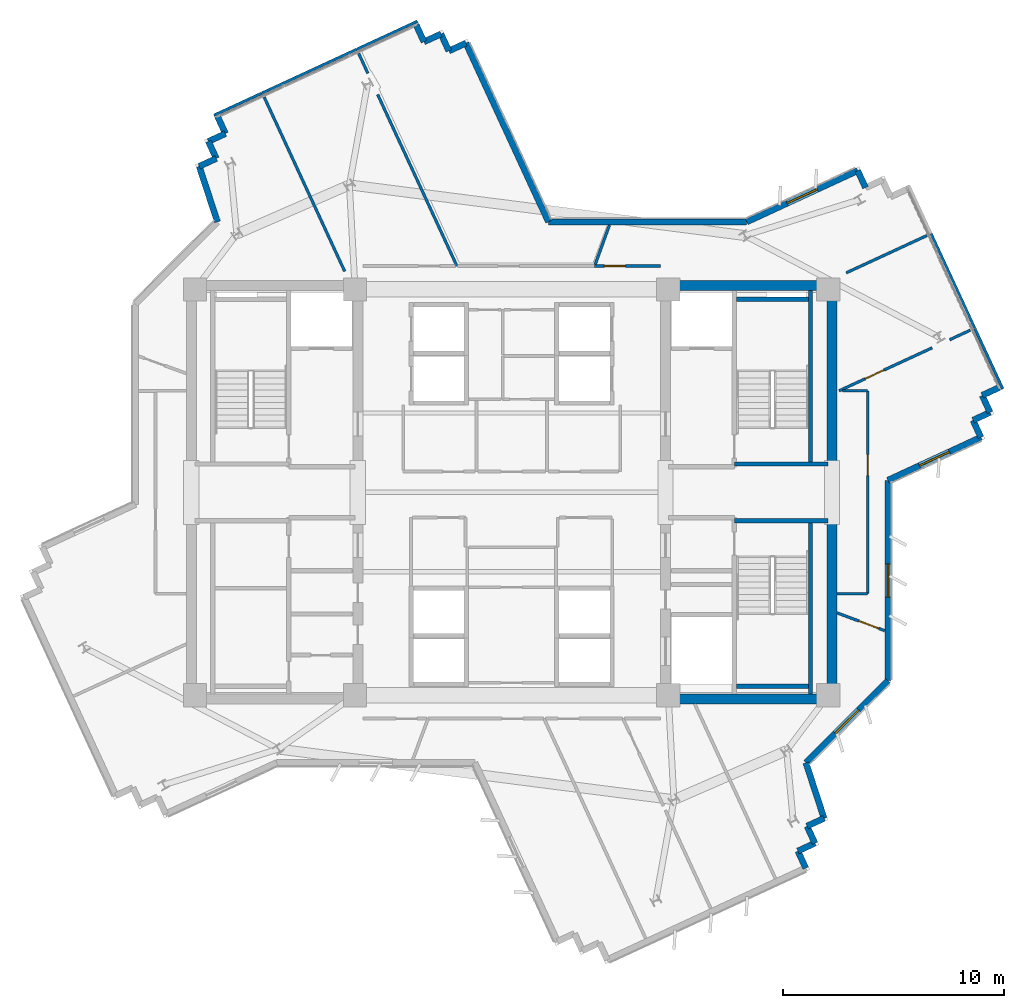
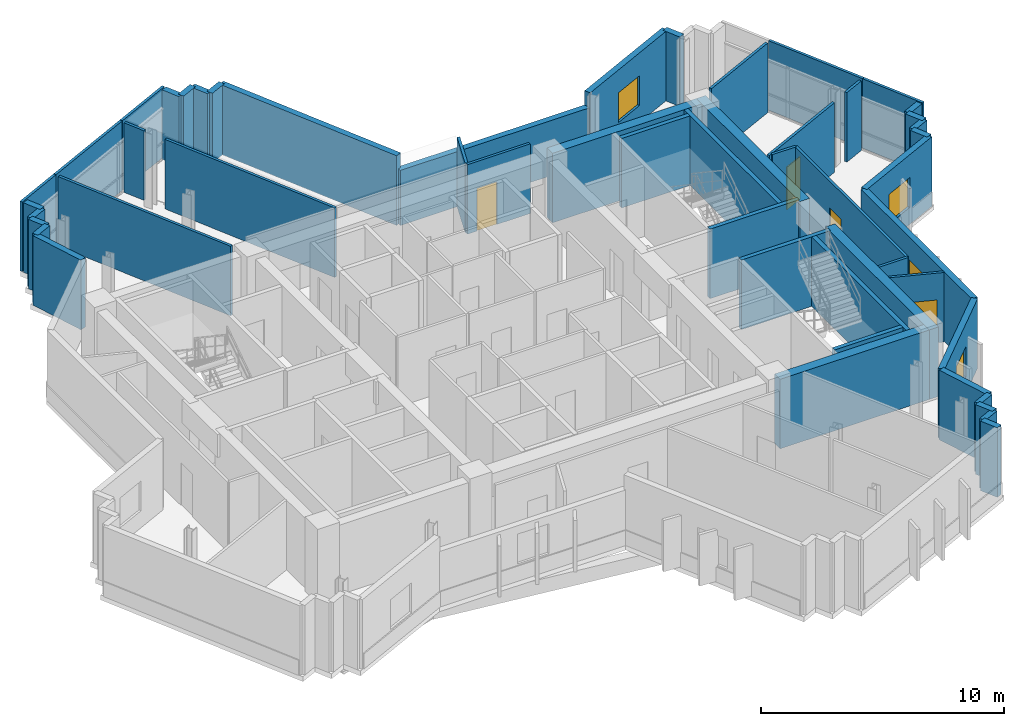
# One storey, part 8 of 12: 52 walls, 4 doors, 4 windows, 8 openings.
"""IFC4 building model written with IfcOpenShell, lengths in metres."""

from ifc_helpers import new_model, si_unit, direction, frame, frame_2d, origin, place, context, subcontext, project, spatial, rectangle, extrude, source, transform, mapped, material, layer, layer_set, type_object, element, fill, save


model = new_model("IFC4")

# Units and contexts
model_context = context("Model", 3, precision=1e-05, world=origin(), true_north=direction((0.0, 1.0)))
body_context = subcontext(model_context, "Body", "Model", "MODEL_VIEW")
ifc_project = project(units=[si_unit("LENGTHUNIT", "METRE"), si_unit("AREAUNIT", "SQUARE_METRE"), si_unit("VOLUMEUNIT", "CUBIC_METRE"), si_unit("PLANEANGLEUNIT", "RADIAN"), si_unit("MASSUNIT", "GRAM", prefix="KILO")], contexts=[model_context])

# Site, building, storey
site_placement = place(None, origin())
site = spatial("IfcSite", under=ifc_project, at=site_placement, CompositionType="ELEMENT")
building_placement = place(site_placement, origin())
building = spatial("IfcBuilding", under=site, at=building_placement, Name="Zahravan Cultural Tower", CompositionType="ELEMENT")
storey_placement = place(building_placement, frame((0.0, 0.0, 239.10009765625)))
storey = spatial("IfcBuildingStorey", under=building, at=storey_placement, Name="L56", CompositionType="ELEMENT", Elevation=239.10009765625)

# Wall, opening, window
ifc_material_1 = material(Name="Precast concrete C40/50", Category="concrete")
ifc_layer_1 = layer(ifc_material_1, 0.280029296875)
ifc_layer_set_1 = layer_set([ifc_layer_1], Name="Precast concrete C40/50")
wall_type_1 = type_object("IfcWallType", Name="EW-TC-280", PredefinedType="SOLIDWALL", material=ifc_layer_set_1)
wall_1_placement = place(storey_placement, frame((46.6552734375, 39.260009765625, 0.0), z_axis=(0.0, 0.0, 1.0), x_axis=(0.907767275269, 0.419474163627, 0.0)))
wall_1 = element("IfcWall", 1, at=wall_1_placement, inside=storey, type_object=wall_type_1, Name="L56 Exterior Masonry Frame Wall 01", PredefinedType="SOLIDWALL", context=body_context, shape_type="SweptSolid", body=[
    extrude(rectangle(XDim=5.544921875, YDim=0.280029296875, at=frame_2d((2.7724609375, 0.0))), origin(), (0.0, 0.0, 1.0), 3.5),
])
opening_1_placement = place(wall_1_placement, frame((2.02197265625, 0.0, 0.85009765625)))
opening_1 = element("IfcOpeningElement", 2, at=opening_1_placement, cuts=wall_1, Name="Opening WN-03", PredefinedType="OPENING", context=body_context, shape_type="SweptSolid", body=[
    extrude(rectangle(XDim=1.5, YDim=1.5, at=frame_2d((0.75, 0.75))), frame((0.0, 0.14990234375, 0.0), z_axis=(0.0, -1.0, 0.0), x_axis=(1.0, 0.0, 0.0)), (0.0, 0.0, 1.0), 0.300048828125),
])
ifc_material_2 = material(Name="Low-E solar-control double glazing", Category="glass")
window_type = type_object("IfcWindowType", Name="WN-REC-1500X1500", PartitioningType="SINGLE_PANEL", PredefinedType="WINDOW", material=ifc_material_2)
shared_shape_1 = source(origin(), body_context, "Body", "SweptSolid", [
    extrude(rectangle(XDim=1.5, YDim=1.5, at=frame_2d((0.75, 0.75))), frame((0.0, 0.030029296875, 0.0), z_axis=(0.0, -1.0, 0.0), x_axis=(1.0, 0.0, 0.0)), (0.0, 0.0, 1.0), 0.06005859375),
])
window_1_placement = place(opening_1_placement, origin())
window_1 = element("IfcWindow", 3, at=window_1_placement, inside=storey, type_object=window_type, Name="L56 Recessed Solar Window 01", OverallHeight=1.5, OverallWidth=1.5, PartitioningType="SINGLE_PANEL", PredefinedType="WINDOW", context=body_context, shape_type="MappedRepresentation", body=[
    mapped(shared_shape_1, transform((0.0, 0.0, 0.0), x_axis=(1.0, 0.0, 0.0), y_axis=(0.0, 1.0, 0.0), z_axis=(0.0, 0.0, 1.0), scale=1.0)),
])
fill(opening_1, window_1)

wall_2_placement = place(storey_placement, frame((57.27587890625, 29.494384765625, 0.0), z_axis=(0.0, 0.0, 1.0), x_axis=(-0.907756183213, -0.419498166669, 0.0)))
wall_2 = element("IfcWall", 4, at=wall_2_placement, inside=storey, type_object=wall_type_1, Name="L56 Exterior Masonry Frame Wall 10", PredefinedType="SOLIDWALL", context=body_context, shape_type="SweptSolid", body=[
    extrude(rectangle(XDim=4.644287109375, YDim=0.280029296875, at=frame_2d((2.322265625, 0.0))), origin(), (0.0, 0.0, 1.0), 3.5),
])
opening_2_placement = place(wall_2_placement, frame((1.572021484375, 0.0, 0.85009765625)))
opening_2 = element("IfcOpeningElement", 5, at=opening_2_placement, cuts=wall_2, Name="Opening WN-03", PredefinedType="OPENING", context=body_context, shape_type="SweptSolid", body=[
    extrude(rectangle(XDim=1.5, YDim=1.5, at=frame_2d((0.75, 0.75))), frame((0.0, 0.14990234375, 0.0), z_axis=(0.0, -1.0, 0.0), x_axis=(1.0, 0.0, 0.0)), (0.0, 0.0, 1.0), 0.300048828125),
])
window_2_placement = place(opening_2_placement, origin())
window_2 = element("IfcWindow", 6, at=window_2_placement, inside=storey, type_object=window_type, Name="L56 Recessed Solar Window 02", OverallHeight=1.5, OverallWidth=1.5, PartitioningType="SINGLE_PANEL", PredefinedType="WINDOW", context=body_context, shape_type="MappedRepresentation", body=[
    mapped(shared_shape_1, transform((0.0, 0.0, 0.0), x_axis=(1.0, 0.0, 0.0), y_axis=(0.0, 1.0, 0.0), z_axis=(0.0, 0.0, 1.0), scale=1.0)),
])
fill(opening_2, window_2)

wall_3_placement = place(storey_placement, frame((53.06005859375, 27.546142578125, 0.0), z_axis=(0.0, 0.0, 1.0), x_axis=(0.0, -1.0, 0.0)))
wall_3 = element("IfcWall", 7, at=wall_3_placement, inside=storey, type_object=wall_type_1, Name="L56 Exterior Masonry Frame Wall 11", PredefinedType="SOLIDWALL", context=body_context, shape_type="SweptSolid", body=[
    extrude(rectangle(XDim=9.088134765625, YDim=0.280029296875, at=frame_2d((4.5439453125, 0.0))), origin(), (0.0, 0.0, 1.0), 3.5),
])
opening_3_placement = place(wall_3_placement, frame((3.7939453125, 0.0, 0.85009765625)))
opening_3 = element("IfcOpeningElement", 8, at=opening_3_placement, cuts=wall_3, Name="Opening WN-03", PredefinedType="OPENING", context=body_context, shape_type="SweptSolid", body=[
    extrude(rectangle(XDim=1.5, YDim=1.5, at=frame_2d((0.75, 0.75))), frame((0.0, 0.14990234375, 0.0), z_axis=(0.0, -1.0, 0.0), x_axis=(1.0, 0.0, 0.0)), (0.0, 0.0, 1.0), 0.300048828125),
])
window_3_placement = place(opening_3_placement, origin())
window_3 = element("IfcWindow", 9, at=window_3_placement, inside=storey, type_object=window_type, Name="L56 Recessed Solar Window 03", OverallHeight=1.5, OverallWidth=1.5, PartitioningType="SINGLE_PANEL", PredefinedType="WINDOW", context=body_context, shape_type="MappedRepresentation", body=[
    mapped(shared_shape_1, transform((0.0, 0.0, 0.0), x_axis=(1.0, 0.0, 0.0), y_axis=(0.0, 1.0, 0.0), z_axis=(0.0, 0.0, 1.0), scale=1.0)),
])
fill(opening_3, window_3)

wall_4_placement = place(storey_placement, frame((53.06005859375, 18.4580078125, 0.0), z_axis=(0.0, 0.0, 1.0), x_axis=(-0.707106781187, -0.707106781187, 0.0)))
wall_4 = element("IfcWall", 10, at=wall_4_placement, inside=storey, type_object=wall_type_1, Name="L56 Exterior Masonry Frame Wall 12", PredefinedType="SOLIDWALL", context=body_context, shape_type="SweptSolid", body=[
    extrude(rectangle(XDim=5.258056640625, YDim=0.280029296875, at=frame_2d((2.62890625, 0.0))), origin(), (0.0, 0.0, 1.0), 3.5),
])
opening_4_placement = place(wall_4_placement, frame((1.87890625, 0.0, 0.85009765625)))
opening_4 = element("IfcOpeningElement", 11, at=opening_4_placement, cuts=wall_4, Name="Opening WN-03", PredefinedType="OPENING", context=body_context, shape_type="SweptSolid", body=[
    extrude(rectangle(XDim=1.5, YDim=1.5, at=frame_2d((0.75, 0.75))), frame((0.0, 0.14990234375, 0.0), z_axis=(0.0, -1.0, 0.0), x_axis=(1.0, 0.0, 0.0)), (0.0, 0.0, 1.0), 0.300048828125),
])
window_4_placement = place(opening_4_placement, origin())
window_4 = element("IfcWindow", 12, at=window_4_placement, inside=storey, type_object=window_type, Name="L56 Recessed Solar Window 04", OverallHeight=1.5, OverallWidth=1.5, PartitioningType="SINGLE_PANEL", PredefinedType="WINDOW", context=body_context, shape_type="MappedRepresentation", body=[
    mapped(shared_shape_1, transform((0.0, 0.0, 0.0), x_axis=(1.0, 0.0, 0.0), y_axis=(0.0, 1.0, 0.0), z_axis=(0.0, 0.0, 1.0), scale=1.0)),
])
fill(opening_4, window_4)

# Wall, opening, door
ifc_material_3 = material(Name="Gypsum plasterboard partition")
ifc_layer_2 = layer(ifc_material_3, 0.125)
ifc_layer_set_2 = layer_set([ifc_layer_2], Name="Gypsum plasterboard partition")
wall_type_2 = type_object("IfcWallType", Name="W-PART-125", PredefinedType="PARTITIONING", material=ifc_layer_set_2)
wall_5_placement = place(storey_placement, frame((55.06787109375, 33.55224609375, 0.0), z_axis=(0.0, 0.0, 1.0), x_axis=(-0.90779658515, -0.419410729465, 0.0)))
wall_5 = element("IfcWall", 13, at=wall_5_placement, inside=storey, type_object=wall_type_2, Name="L56 Interior Wall 086", PredefinedType="PARTITIONING", context=body_context, shape_type="SweptSolid", body=[
    extrude(rectangle(XDim=4.654541015625, YDim=0.125, at=frame_2d((2.3271484375, 0.0))), origin(), (0.0, 0.0, 1.0), 3.5),
])
opening_5_placement = place(wall_5_placement, frame((2.407958984375, 0.0, 0.0)))
opening_5 = element("IfcOpeningElement", 14, at=opening_5_placement, cuts=wall_5, Name="Opening D-L56-32", PredefinedType="OPENING", context=body_context, shape_type="SweptSolid", body=[
    extrude(rectangle(XDim=0.949951171875, YDim=2.14990234375, at=frame_2d((0.47509765625, 1.074951171875))), frame((0.0, 0.072509765625, 0.0), z_axis=(0.0, -1.0, 0.0), x_axis=(1.0, 0.0, 0.0)), (0.0, 0.0, 1.0), 0.14501953125),
])
ifc_material_4 = material(Name="Anodised bronze-aluminium mullion", Category="aluminium")
door_type = type_object("IfcDoorType", Name="DR-ROOM-950", OperationType="NOTDEFINED", PredefinedType="DOOR", material=ifc_material_4)
shared_shape_2 = source(origin(), body_context, "Body", "SweptSolid", [
    extrude(rectangle(XDim=0.949951171875, YDim=2.14990234375, at=frame_2d((0.47509765625, 1.074951171875))), frame((0.0, 0.02490234375, 0.0), z_axis=(0.0, -1.0, 0.0), x_axis=(1.0, 0.0, 0.0)), (0.0, 0.0, 1.0), 0.050048828125),
])
door_1_placement = place(opening_5_placement, origin())
door_1 = element("IfcDoor", 15, at=door_1_placement, inside=storey, type_object=door_type, Name="L56 Door D-L56-32", OperationType="SINGLE_SWING_LEFT", OverallHeight=2.14990234375, OverallWidth=0.949951171875, PredefinedType="DOOR", context=body_context, shape_type="MappedRepresentation", body=[
    mapped(shared_shape_2, transform((0.0, 0.0, 0.0), x_axis=(1.0, 0.0, 0.0), y_axis=(0.0, 1.0, 0.0), z_axis=(0.0, 0.0, 1.0), scale=1.0)),
])
fill(opening_5, door_1)

wall_6_placement = place(storey_placement, frame((52.14990234375, 22.406005859375, 0.0), z_axis=(0.0, 0.0, 1.0), x_axis=(-2.657666e-05, 0.999999999647, 0.0)))
wall_6 = element("IfcWall", 16, at=wall_6_placement, inside=storey, type_object=wall_type_2, Name="L56 Interior Wall 094", PredefinedType="PARTITIONING", context=body_context, shape_type="SweptSolid", body=[
    extrude(rectangle(XDim=9.186279296875, YDim=0.125, at=frame_2d((4.59326171875, 0.0))), origin(), (0.0, 0.0, 1.0), 3.5),
])
opening_6_placement = place(wall_6_placement, frame((5.353759765625, 0.0, 0.0)))
opening_6 = element("IfcOpeningElement", 17, at=opening_6_placement, cuts=wall_6, Name="Opening D-L56-22", PredefinedType="OPENING", context=body_context, shape_type="SweptSolid", body=[
    extrude(rectangle(XDim=0.949951171875, YDim=2.14990234375, at=frame_2d((0.47509765625, 1.074951171875))), frame((0.0, 0.072509765625, 0.0), z_axis=(0.0, -1.0, 0.0), x_axis=(1.0, 0.0, 0.0)), (0.0, 0.0, 1.0), 0.14501953125),
])
door_2_placement = place(opening_6_placement, origin())
door_2 = element("IfcDoor", 18, at=door_2_placement, inside=storey, type_object=door_type, Name="L56 Door D-L56-22", OperationType="SINGLE_SWING_LEFT", OverallHeight=2.14990234375, OverallWidth=0.949951171875, PredefinedType="DOOR", context=body_context, shape_type="MappedRepresentation", body=[
    mapped(shared_shape_2, transform((0.0, 0.0, 0.0), x_axis=(1.0, 0.0, 0.0), y_axis=(0.0, 1.0, 0.0), z_axis=(0.0, 0.0, 1.0), scale=1.0)),
])
fill(opening_6, door_2)

wall_7_placement = place(storey_placement, frame((52.9150390625, 20.72705078125, 0.0), z_axis=(0.0, 0.0, 1.0), x_axis=(-0.936884992217, 0.349637685839, 0.0)))
wall_7 = element("IfcWall", 19, at=wall_7_placement, inside=storey, type_object=wall_type_2, Name="L56 Interior Wall 097", PredefinedType="PARTITIONING", context=body_context, shape_type="SweptSolid", body=[
    extrude(rectangle(XDim=2.3056640625, YDim=0.125, at=frame_2d((1.15283203125, 0.0))), origin(), (0.0, 0.0, 1.0), 3.5),
])
opening_7_placement = place(wall_7_placement, frame((0.298095703125, 0.0, 0.0)))
opening_7 = element("IfcOpeningElement", 20, at=opening_7_placement, cuts=wall_7, Name="Opening D-L56-35", PredefinedType="OPENING", context=body_context, shape_type="SweptSolid", body=[
    extrude(rectangle(XDim=0.949951171875, YDim=2.14990234375, at=frame_2d((0.47509765625, 1.074951171875))), frame((0.0, 0.072509765625, 0.0), z_axis=(0.0, -1.0, 0.0), x_axis=(1.0, 0.0, 0.0)), (0.0, 0.0, 1.0), 0.14501953125),
])
door_3_placement = place(opening_7_placement, origin())
door_3 = element("IfcDoor", 21, at=door_3_placement, inside=storey, type_object=door_type, Name="L56 Door D-L56-35", OperationType="SINGLE_SWING_RIGHT", OverallHeight=2.14990234375, OverallWidth=0.949951171875, PredefinedType="DOOR", context=body_context, shape_type="MappedRepresentation", body=[
    mapped(shared_shape_2, transform((0.0, 0.0, 0.0), x_axis=(1.0, 0.0, 0.0), y_axis=(0.0, 1.0, 0.0), z_axis=(0.0, 0.0, 1.0), scale=1.0)),
])
fill(opening_7, door_3)

wall_8_placement = place(storey_placement, frame((42.74658203125, 37.2587890625, 0.0), z_axis=(0.0, 0.0, 1.0), x_axis=(-0.999999916415, 0.000408864141, 0.0)))
wall_8 = element("IfcWall", 22, at=wall_8_placement, inside=storey, type_object=wall_type_2, Name="L56 Interior Wall 098", PredefinedType="PARTITIONING", context=body_context, shape_type="SweptSolid", body=[
    extrude(rectangle(XDim=2.985595703125, YDim=0.125, at=frame_2d((1.49267578125, 0.0))), origin(), (0.0, 0.0, 1.0), 3.5),
])
opening_8_placement = place(wall_8_placement, frame((1.587890625, 0.0, 0.0)))
opening_8 = element("IfcOpeningElement", 23, at=opening_8_placement, cuts=wall_8, Name="Opening D-L56-23", PredefinedType="OPENING", context=body_context, shape_type="SweptSolid", body=[
    extrude(rectangle(XDim=0.949951171875, YDim=2.14990234375, at=frame_2d((0.47509765625, 1.074951171875))), frame((0.0, 0.072509765625, 0.0), z_axis=(0.0, -1.0, 0.0), x_axis=(1.0, 0.0, 0.0)), (0.0, 0.0, 1.0), 0.14501953125),
])
door_4_placement = place(opening_8_placement, origin())
door_4 = element("IfcDoor", 24, at=door_4_placement, inside=storey, type_object=door_type, Name="L56 Door D-L56-23", OperationType="SINGLE_SWING_RIGHT", OverallHeight=2.14990234375, OverallWidth=0.949951171875, PredefinedType="DOOR", context=body_context, shape_type="MappedRepresentation", body=[
    mapped(shared_shape_2, transform((0.0, 0.0, 0.0), x_axis=(1.0, 0.0, 0.0), y_axis=(0.0, 1.0, 0.0), z_axis=(0.0, 0.0, 1.0), scale=1.0)),
])
fill(opening_8, door_4)

# Walls
ifc_material_5 = material(Name="Concrete C50/60", Category="concrete")
ifc_layer_3 = layer(ifc_material_5, 0.449951171875)
ifc_layer_set_3 = layer_set([ifc_layer_3], Name="Concrete C50/60")
wall_type_3 = type_object("IfcWallType", Name="CW-SHEAR-450-C50", PredefinedType="SHEAR", material=ifc_layer_set_3)
shared_shape_3 = source(origin(), body_context, "Body", "SweptSolid", [
    extrude(rectangle(XDim=8.550048828125, YDim=0.449951171875, at=frame_2d((4.27490234375, 0.0))), origin(), (0.0, 0.0, 1.0), 3.5),
])
for number, where, z_axis, x_axis, name in (
    (25, (50.52490234375, 17.39990234375, 0.0), (0.0, 0.0, 1.0), (0.0, 1.0, 0.0), "L56 Core Shear Wall CW-E-ES-L56"),
    (26, (50.52490234375, 28.050048828125, 0.0), (0.0, 0.0, 1.0), (0.0, 1.0, 0.0), "L56 Core Shear Wall CW-E-EN-L56"),
):
    element("IfcWall", number, at=place(storey_placement, frame(where, z_axis=z_axis, x_axis=x_axis)), inside=storey, type_object=wall_type_3, Name=name, PredefinedType="SHEAR", context=body_context, shape_type="MappedRepresentation", body=[
        mapped(shared_shape_3, transform((0.0, 0.0, 0.0), x_axis=(1.0, 0.0, 0.0), y_axis=(0.0, 1.0, 0.0), z_axis=(0.0, 0.0, 1.0), scale=1.0)),
    ])
shared_shape_4 = source(origin(), body_context, "Body", "SweptSolid", [
    extrude(rectangle(XDim=7.10009765625, YDim=0.449951171875, at=frame_2d((3.550048828125, 0.0))), origin(), (0.0, 0.0, 1.0), 3.5),
])
for number, where, z_axis, x_axis, name in (
    (27, (43.199951171875, 17.625, 0.0), (0.0, 0.0, 1.0), (1.0, 0.0, 0.0), "L56 Core Shear Wall CW-E-S-L56"),
    (28, (43.199951171875, 36.375, 0.0), (0.0, 0.0, 1.0), (1.0, 0.0, 0.0), "L56 Core Shear Wall CW-E-N-L56"),
):
    element("IfcWall", number, at=place(storey_placement, frame(where, z_axis=z_axis, x_axis=x_axis)), inside=storey, type_object=wall_type_3, Name=name, PredefinedType="SHEAR", context=body_context, shape_type="MappedRepresentation", body=[
        mapped(shared_shape_4, transform((0.0, 0.0, 0.0), x_axis=(1.0, 0.0, 0.0), y_axis=(0.0, 1.0, 0.0), z_axis=(0.0, 0.0, 1.0), scale=1.0)),
    ])
shared_shape_5 = source(origin(), body_context, "Body", "SweptSolid", [
    extrude(rectangle(XDim=0.85009765625, YDim=0.280029296875, at=frame_2d((0.425048828125, 0.0))), origin(), (0.0, 0.0, 1.0), 3.5),
])
for number, where, z_axis, x_axis, name in (
    (29, (51.688720703125, 41.5859375, 0.0), (0.0, 0.0, 1.0), (0.419549800563, -0.907732320041, 0.0), "L56 Exterior Masonry Frame Wall 02"),
    (30, (58.106201171875, 31.75048828125, 0.0), (0.0, 0.0, 1.0), (-0.907841666427, -0.419313139191, 0.0), "L56 Exterior Masonry Frame Wall 06"),
    (31, (57.33447265625, 31.39404296875, 0.0), (0.0, 0.0, 1.0), (0.419313139191, -0.907841666427, 0.0), "L56 Exterior Masonry Frame Wall 07"),
    (32, (50.16650390625, 12.218994140625, 0.0), (0.0, 0.0, 1.0), (-0.907841666427, -0.419313139191, 0.0), "L56 Exterior Masonry Frame Wall 14"),
    (33, (49.394775390625, 11.862548828125, 0.0), (0.0, 0.0, 1.0), (0.419313139191, -0.907841666427, 0.0), "L56 Exterior Masonry Frame Wall 15"),
    (34, (48.979736328125, 10.734375, 0.0), (0.0, 0.0, 1.0), (0.419313139191, -0.907841666427, 0.0), "L56 Exterior Masonry Frame Wall 17"),
    (35, (21.83349609375, 41.781005859375, 0.0), (0.0, 0.0, 1.0), (0.907841666427, 0.419313139191, 0.0), "L56 Exterior Masonry Frame Wall 39"),
    (36, (22.605224609375, 42.137451171875, 0.0), (0.0, 0.0, 1.0), (-0.419313139191, 0.907841666427, 0.0), "L56 Exterior Masonry Frame Wall 40"),
    (37, (23.020263671875, 43.265625, 0.0), (0.0, 0.0, 1.0), (-0.419313139191, 0.907841666427, 0.0), "L56 Exterior Masonry Frame Wall 42"),
    (38, (32.025390625, 47.4267578125, 0.0), (0.0, 0.0, 1.0), (0.907841666427, 0.419313139191, 0.0), "L56 Exterior Masonry Frame Wall 44"),
    (39, (33.153564453125, 47.01171875, 0.0), (0.0, 0.0, 1.0), (0.907841666427, 0.419313139191, 0.0), "L56 Exterior Masonry Frame Wall 46"),
):
    element("IfcWall", number, at=place(storey_placement, frame(where, z_axis=z_axis, x_axis=x_axis)), inside=storey, type_object=wall_type_1, Name=name, PredefinedType="SOLIDWALL", context=body_context, shape_type="MappedRepresentation", body=[
        mapped(shared_shape_5, transform((0.0, 0.0, 0.0), x_axis=(1.0, 0.0, 0.0), y_axis=(0.0, 1.0, 0.0), z_axis=(0.0, 0.0, 1.0), scale=1.0)),
    ])
shared_shape_6 = source(origin(), body_context, "Body", "SweptSolid", [
    extrude(rectangle(XDim=0.849853515625, YDim=0.280029296875, at=frame_2d((0.4248046875, 0.0))), origin(), (0.0, 0.0, 1.0), 3.5),
])
for number, where, z_axis, x_axis, name in (
    (40, (57.69091796875, 30.622314453125, 0.0), (0.0, 0.0, 1.0), (-0.907791150023, -0.419422493365, 0.0), "L56 Exterior Masonry Frame Wall 08"),
    (41, (56.91943359375, 30.265869140625, 0.0), (0.0, 0.0, 1.0), (0.419422493365, -0.907791150023, 0.0), "L56 Exterior Masonry Frame Wall 09"),
    (42, (49.751220703125, 11.0908203125, 0.0), (0.0, 0.0, 1.0), (-0.907791150023, -0.419422493365, 0.0), "L56 Exterior Masonry Frame Wall 16"),
    (43, (22.248779296875, 42.9091796875, 0.0), (0.0, 0.0, 1.0), (0.907791150023, 0.419422493365, 0.0), "L56 Exterior Masonry Frame Wall 41"),
    (44, (31.6689453125, 48.1982421875, 0.0), (0.0, 0.0, 1.0), (0.419422493365, -0.907791150023, 0.0), "L56 Exterior Masonry Frame Wall 43"),
    (45, (32.797119140625, 47.783203125, 0.0), (0.0, 0.0, 1.0), (0.419422493365, -0.907791150023, 0.0), "L56 Exterior Masonry Frame Wall 45"),
):
    element("IfcWall", number, at=place(storey_placement, frame(where, z_axis=z_axis, x_axis=x_axis)), inside=storey, type_object=wall_type_1, Name=name, PredefinedType="SOLIDWALL", context=body_context, shape_type="MappedRepresentation", body=[
        mapped(shared_shape_6, transform((0.0, 0.0, 0.0), x_axis=(1.0, 0.0, 0.0), y_axis=(0.0, 1.0, 0.0), z_axis=(0.0, 0.0, 1.0), scale=1.0)),
    ])
shared_shape_7 = source(origin(), body_context, "Body", "SweptSolid", [
    extrude(rectangle(XDim=2.65234375, YDim=0.280029296875, at=frame_2d((1.326171875, 0.0))), origin(), (0.0, 0.0, 1.0), 3.5),
])
for number, where, z_axis, x_axis, name in (
    (46, (49.342041015625, 14.739990234375, 0.0), (0.0, 0.0, 1.0), (0.310838004308, -0.950462905682, 0.0), "L56 Exterior Masonry Frame Wall 13"),
    (47, (22.657958984375, 39.260009765625, 0.0), (0.0, 0.0, 1.0), (-0.310838004308, 0.950462905682, 0.0), "L56 Exterior Masonry Frame Wall 38"),
):
    element("IfcWall", number, at=place(storey_placement, frame(where, z_axis=z_axis, x_axis=x_axis)), inside=storey, type_object=wall_type_1, Name=name, PredefinedType="SOLIDWALL", context=body_context, shape_type="MappedRepresentation", body=[
        mapped(shared_shape_7, transform((0.0, 0.0, 0.0), x_axis=(1.0, 0.0, 0.0), y_axis=(0.0, 1.0, 0.0), z_axis=(0.0, 0.0, 1.0), scale=1.0)),
    ])
shared_shape_8 = source(origin(), body_context, "Body", "SweptSolid", [
    extrude(rectangle(XDim=8.931884765625, YDim=0.280029296875, at=frame_2d((4.4658203125, 0.0))), origin(), (0.0, 0.0, 1.0), 3.5),
])
wall_9_placement = place(storey_placement, frame((33.92529296875, 47.3681640625, 0.0), z_axis=(0.0, 0.0, 1.0), x_axis=(0.419437747849, -0.90778410191, 0.0)))
element("IfcWall", 48, at=wall_9_placement, inside=storey, type_object=wall_type_1, Name="L56 Exterior Masonry Frame Wall 47", PredefinedType="SOLIDWALL", context=body_context, shape_type="MappedRepresentation", body=[
    mapped(shared_shape_8, transform((0.0, 0.0, 0.0), x_axis=(1.0, 0.0, 0.0), y_axis=(0.0, 1.0, 0.0), z_axis=(0.0, 0.0, 1.0), scale=1.0)),
])
shared_shape_9 = source(origin(), body_context, "Body", "SweptSolid", [
    extrude(rectangle(XDim=8.983642578125, YDim=0.280029296875, at=frame_2d((4.49169921875, 0.0))), origin(), (0.0, 0.0, 1.0), 2.77197265625),
])
wall_10_placement = place(storey_placement, frame((37.671630859375, 39.260009765625, 0.0), z_axis=(0.0, 0.0, 1.0), x_axis=(1.0, 0.0, 0.0)))
element("IfcWall", 49, at=wall_10_placement, inside=storey, type_object=wall_type_1, Name="L56 Exterior Masonry Frame Wall 48", PredefinedType="SOLIDWALL", context=body_context, shape_type="MappedRepresentation", body=[
    mapped(shared_shape_9, transform((0.0, 0.0, 0.0), x_axis=(1.0, 0.0, 0.0), y_axis=(0.0, 1.0, 0.0), z_axis=(0.0, 0.0, 1.0), scale=1.0)),
])
ifc_material_6 = material(Name="Concrete C45/55", Category="concrete")
ifc_layer_4 = layer(ifc_material_6, 0.199951171875)
ifc_layer_set_4 = layer_set([ifc_layer_4], Name="Concrete C45/55")
wall_type_4 = type_object("IfcWallType", Name="W-SHAFT-200", PredefinedType="SOLIDWALL", material=ifc_layer_set_4)
shared_shape_10 = source(origin(), body_context, "Body", "SweptSolid", [
    extrude(rectangle(XDim=7.869873046875, YDim=0.199951171875, at=frame_2d((3.93505859375, 0.0))), origin(), (0.0, 0.0, 1.0), 3.5),
])
for number, where, z_axis, x_axis, name in (
    (50, (49.550048828125, 17.85009765625, 0.0), (0.0, 0.0, 1.0), (0.0, 1.0, 0.0), "L56 Interior Wall 003"),
    (51, (49.550048828125, 28.280029296875, 0.0), (0.0, 0.0, 1.0), (0.0, 1.0, 0.0), "L56 Interior Wall 004"),
):
    element("IfcWall", number, at=place(storey_placement, frame(where, z_axis=z_axis, x_axis=x_axis)), inside=storey, type_object=wall_type_4, Name=name, PredefinedType="SOLIDWALL", context=body_context, shape_type="MappedRepresentation", body=[
        mapped(shared_shape_10, transform((0.0, 0.0, 0.0), x_axis=(1.0, 0.0, 0.0), y_axis=(0.0, 1.0, 0.0), z_axis=(0.0, 0.0, 1.0), scale=1.0)),
    ])
shared_shape_11 = source(origin(), body_context, "Body", "SweptSolid", [
    extrude(rectangle(XDim=4.25, YDim=0.199951171875, at=frame_2d((2.125, 0.0))), origin(), (0.0, 0.0, 1.0), 3.5),
])
for number, where, z_axis, x_axis, name in (
    (52, (46.10009765625, 25.715087890625, 0.0), (0.0, 0.0, 1.0), (1.0, 0.0, 0.0), "L56 Interior Wall 014"),
    (53, (46.10009765625, 28.284912109375, 0.0), (0.0, 0.0, 1.0), (1.0, 0.0, 0.0), "L56 Interior Wall 016"),
):
    element("IfcWall", number, at=place(storey_placement, frame(where, z_axis=z_axis, x_axis=x_axis)), inside=storey, type_object=wall_type_4, Name=name, PredefinedType="SOLIDWALL", context=body_context, shape_type="MappedRepresentation", body=[
        mapped(shared_shape_11, transform((0.0, 0.0, 0.0), x_axis=(1.0, 0.0, 0.0), y_axis=(0.0, 1.0, 0.0), z_axis=(0.0, 0.0, 1.0), scale=1.0)),
    ])
shared_shape_12 = source(origin(), body_context, "Body", "SweptSolid", [
    extrude(rectangle(XDim=3.25, YDim=0.199951171875, at=frame_2d((1.625, 0.0))), origin(), (0.0, 0.0, 1.0), 3.5),
])
for number, where, z_axis, x_axis, name in (
    (54, (46.199951171875, 35.75, 0.0), (0.0, 0.0, 1.0), (1.0, 0.0, 0.0), "L56 Interior Wall 018"),
    (55, (46.199951171875, 18.199951171875, 0.0), (0.0, 0.0, 1.0), (1.0, 0.0, 0.0), "L56 Interior Wall 020"),
):
    element("IfcWall", number, at=place(storey_placement, frame(where, z_axis=z_axis, x_axis=x_axis)), inside=storey, type_object=wall_type_4, Name=name, PredefinedType="SOLIDWALL", context=body_context, shape_type="MappedRepresentation", body=[
        mapped(shared_shape_12, transform((0.0, 0.0, 0.0), x_axis=(1.0, 0.0, 0.0), y_axis=(0.0, 1.0, 0.0), z_axis=(0.0, 0.0, 1.0), scale=1.0)),
    ])
shared_shape_13 = source(origin(), body_context, "Body", "SweptSolid", [
    extrude(rectangle(XDim=3.010009765625, YDim=0.125, at=frame_2d((1.5048828125, 0.0))), origin(), (0.0, 0.0, 1.0), 3.5),
])
for number, where, z_axis, x_axis, name in (
    (56, (57.002685546875, 34.42431640625, 0.0), (0.0, 0.0, 1.0), (0.419490178077, -0.90775987491, 0.0), "L56 Interior Wall 096"),
    (57, (28.9951171875, 47.094970703125, 0.0), (0.0, 0.0, 1.0), (0.907790759102, 0.419423339467, 0.0), "L56 Interior Wall 115"),
):
    element("IfcWall", number, at=place(storey_placement, frame(where, z_axis=z_axis, x_axis=x_axis)), inside=storey, type_object=wall_type_2, Name=name, PredefinedType="PARTITIONING", context=body_context, shape_type="MappedRepresentation", body=[
        mapped(shared_shape_13, transform((0.0, 0.0, 0.0), x_axis=(1.0, 0.0, 0.0), y_axis=(0.0, 1.0, 0.0), z_axis=(0.0, 0.0, 1.0), scale=1.0)),
    ])
shared_shape_14 = source(origin(), body_context, "Body", "SweptSolid", [
    extrude(rectangle(XDim=4.020263671875, YDim=0.125, at=frame_2d((2.01025390625, 0.0))), origin(), (0.0, 0.0, 1.0), 3.5),
])
wall_11_placement = place(storey_placement, frame((51.169921875, 36.95068359375, 0.0), z_axis=(0.0, 0.0, 1.0), x_axis=(0.907776222313, 0.419454801145, 0.0)))
element("IfcWall", 58, at=wall_11_placement, inside=storey, type_object=wall_type_2, Name="L56 Interior Wall 083", PredefinedType="PARTITIONING", context=body_context, shape_type="MappedRepresentation", body=[
    mapped(shared_shape_14, transform((0.0, 0.0, 0.0), x_axis=(1.0, 0.0, 0.0), y_axis=(0.0, 1.0, 0.0), z_axis=(0.0, 0.0, 1.0), scale=1.0)),
])
shared_shape_15 = source(origin(), body_context, "Body", "SweptSolid", [
    extrude(rectangle(XDim=4.72021484375, YDim=0.125, at=frame_2d((2.360107421875, 0.0))), origin(), (0.0, 0.0, 1.0), 3.5),
])
wall_12_placement = place(storey_placement, frame((55.0146484375, 38.727294921875, 0.0), z_axis=(0.0, 0.0, 1.0), x_axis=(0.419422223592, -0.907791274665, 0.0)))
element("IfcWall", 59, at=wall_12_placement, inside=storey, type_object=wall_type_2, Name="L56 Interior Wall 084", PredefinedType="PARTITIONING", context=body_context, shape_type="MappedRepresentation", body=[
    mapped(shared_shape_15, transform((0.0, 0.0, 0.0), x_axis=(1.0, 0.0, 0.0), y_axis=(0.0, 1.0, 0.0), z_axis=(0.0, 0.0, 1.0), scale=1.0)),
])
shared_shape_16 = source(origin(), body_context, "Body", "SweptSolid", [
    extrude(rectangle(XDim=1.034423828125, YDim=0.125, at=frame_2d((0.51708984375, 0.0))), origin(), (0.0, 0.0, 1.0), 3.5),
])
wall_13_placement = place(storey_placement, frame((56.79931640625, 34.352294921875, 0.0), z_axis=(0.0, 0.0, 1.0), x_axis=(-0.907786599617, -0.419432342049, 0.0)))
element("IfcWall", 60, at=wall_13_placement, inside=storey, type_object=wall_type_2, Name="L56 Interior Wall 085", PredefinedType="PARTITIONING", context=body_context, shape_type="MappedRepresentation", body=[
    mapped(shared_shape_16, transform((0.0, 0.0, 0.0), x_axis=(1.0, 0.0, 0.0), y_axis=(0.0, 1.0, 0.0), z_axis=(0.0, 0.0, 1.0), scale=1.0)),
])
shared_shape_17 = source(origin(), body_context, "Body", "SweptSolid", [
    extrude(rectangle(XDim=1.38916015625, YDim=0.125, at=frame_2d((0.694580078125, 0.0))), origin(), (0.0, 0.0, 1.0), 3.5),
])
wall_14_placement = place(storey_placement, frame((50.7548828125, 22.39990234375, 0.0), z_axis=(0.0, 0.0, 1.0), x_axis=(1.0, 0.0, 0.0)))
element("IfcWall", 61, at=wall_14_placement, inside=storey, type_object=wall_type_2, Name="L56 Interior Wall 093", PredefinedType="PARTITIONING", context=body_context, shape_type="MappedRepresentation", body=[
    mapped(shared_shape_17, transform((0.0, 0.0, 0.0), x_axis=(1.0, 0.0, 0.0), y_axis=(0.0, 1.0, 0.0), z_axis=(0.0, 0.0, 1.0), scale=1.0)),
])
shared_shape_18 = source(origin(), body_context, "Body", "SweptSolid", [
    extrude(rectangle(XDim=1.138671875, YDim=0.125, at=frame_2d((0.5693359375, 0.0))), origin(), (0.0, 0.0, 1.0), 3.5),
])
wall_15_placement = place(storey_placement, frame((52.142333984375, 31.599609375, 0.0), z_axis=(0.0, 0.0, 1.0), x_axis=(-0.999999908058, 0.000428816427, 0.0)))
element("IfcWall", 62, at=wall_15_placement, inside=storey, type_object=wall_type_2, Name="L56 Interior Wall 095", PredefinedType="PARTITIONING", context=body_context, shape_type="MappedRepresentation", body=[
    mapped(shared_shape_18, transform((0.0, 0.0, 0.0), x_axis=(1.0, 0.0, 0.0), y_axis=(0.0, 1.0, 0.0), z_axis=(0.0, 0.0, 1.0), scale=1.0)),
])
shared_shape_19 = source(origin(), body_context, "Body", "SweptSolid", [
    extrude(rectangle(XDim=1.9013671875, YDim=0.125, at=frame_2d((0.95068359375, 0.0))), origin(), (0.0, 0.0, 1.0), 3.5),
])
wall_16_placement = place(storey_placement, frame((39.785400390625, 37.327392578125, 0.0), z_axis=(0.0, 0.0, 1.0), x_axis=(0.340887270823, 0.940104179648, 0.0)))
element("IfcWall", 63, at=wall_16_placement, inside=storey, type_object=wall_type_2, Name="L56 Interior Wall 099", PredefinedType="PARTITIONING", context=body_context, shape_type="MappedRepresentation", body=[
    mapped(shared_shape_19, transform((0.0, 0.0, 0.0), x_axis=(1.0, 0.0, 0.0), y_axis=(0.0, 1.0, 0.0), z_axis=(0.0, 0.0, 1.0), scale=1.0)),
])
shared_shape_20 = source(origin(), body_context, "Body", "SweptSolid", [
    extrude(rectangle(XDim=2.389892578125, YDim=0.125, at=frame_2d((1.19482421875, 0.0))), origin(), (0.0, 0.0, 1.0), 3.5),
])
wall_17_placement = place(storey_placement, frame((22.504638671875, 44.095947265625, 0.0), z_axis=(0.0, 0.0, 1.0), x_axis=(0.907773916688, 0.419459790898, 0.0)))
element("IfcWall", 64, at=wall_17_placement, inside=storey, type_object=wall_type_2, Name="L56 Interior Wall 107", PredefinedType="PARTITIONING", context=body_context, shape_type="MappedRepresentation", body=[
    mapped(shared_shape_20, transform((0.0, 0.0, 0.0), x_axis=(1.0, 0.0, 0.0), y_axis=(0.0, 1.0, 0.0), z_axis=(0.0, 0.0, 1.0), scale=1.0)),
])
shared_shape_21 = source(origin(), body_context, "Body", "SweptSolid", [
    extrude(rectangle(XDim=8.56396484375, YDim=0.125, at=frame_2d((4.281982421875, 0.0))), origin(), (0.0, 0.0, 1.0), 3.5),
])
wall_18_placement = place(storey_placement, frame((29.92529296875, 45.0341796875, 0.0), z_axis=(0.0, 0.0, 1.0), x_axis=(0.419463084945, -0.907772394584, 0.0)))
element("IfcWall", 65, at=wall_18_placement, inside=storey, type_object=wall_type_2, Name="L56 Interior Wall 101", PredefinedType="PARTITIONING", context=body_context, shape_type="MappedRepresentation", body=[
    mapped(shared_shape_21, transform((0.0, 0.0, 0.0), x_axis=(1.0, 0.0, 0.0), y_axis=(0.0, 1.0, 0.0), z_axis=(0.0, 0.0, 1.0), scale=1.0)),
])
shared_shape_22 = source(origin(), body_context, "Body", "SweptSolid", [
    extrude(rectangle(XDim=8.700927734375, YDim=0.125, at=frame_2d((4.3505859375, 0.0))), origin(), (0.0, 0.0, 1.0), 3.5),
])
wall_19_placement = place(storey_placement, frame((28.428955078125, 37.02001953125, 0.0), z_axis=(0.0, 0.0, 1.0), x_axis=(-0.419458495046, 0.907774515468, 0.0)))
element("IfcWall", 66, at=wall_19_placement, inside=storey, type_object=wall_type_2, Name="L56 Interior Wall 103", PredefinedType="PARTITIONING", context=body_context, shape_type="MappedRepresentation", body=[
    mapped(shared_shape_22, transform((0.0, 0.0, 0.0), x_axis=(1.0, 0.0, 0.0), y_axis=(0.0, 1.0, 0.0), z_axis=(0.0, 0.0, 1.0), scale=1.0)),
])
shared_shape_23 = source(origin(), body_context, "Body", "SweptSolid", [
    extrude(rectangle(XDim=4.7197265625, YDim=0.125, at=frame_2d((2.35986328125, 0.0))), origin(), (0.0, 0.0, 1.0), 3.5),
])
wall_20_placement = place(storey_placement, frame((24.6923828125, 45.106689453125, 0.0), z_axis=(0.0, 0.0, 1.0), x_axis=(0.907753377062, 0.419504238873, 0.0)))
element("IfcWall", 67, at=wall_20_placement, inside=storey, type_object=wall_type_2, Name="L56 Interior Wall 104", PredefinedType="PARTITIONING", context=body_context, shape_type="MappedRepresentation", body=[
    mapped(shared_shape_23, transform((0.0, 0.0, 0.0), x_axis=(1.0, 0.0, 0.0), y_axis=(0.0, 1.0, 0.0), z_axis=(0.0, 0.0, 1.0), scale=1.0)),
])
shared_shape_24 = source(origin(), body_context, "Body", "SweptSolid", [
    extrude(rectangle(XDim=0.99560546875, YDim=0.125, at=frame_2d((0.497802734375, 0.0))), origin(), (0.0, 0.0, 1.0), 3.5),
])
wall_21_placement = place(storey_placement, frame((29.06396484375, 46.898193359375, 0.0), z_axis=(0.0, 0.0, 1.0), x_axis=(0.419540149112, -0.907736780836, 0.0)))
element("IfcWall", 68, at=wall_21_placement, inside=storey, type_object=wall_type_2, Name="L56 Interior Wall 105", PredefinedType="PARTITIONING", context=body_context, shape_type="MappedRepresentation", body=[
    mapped(shared_shape_24, transform((0.0, 0.0, 0.0), x_axis=(1.0, 0.0, 0.0), y_axis=(0.0, 1.0, 0.0), z_axis=(0.0, 0.0, 1.0), scale=1.0)),
])

save(model, "model.ifc")
